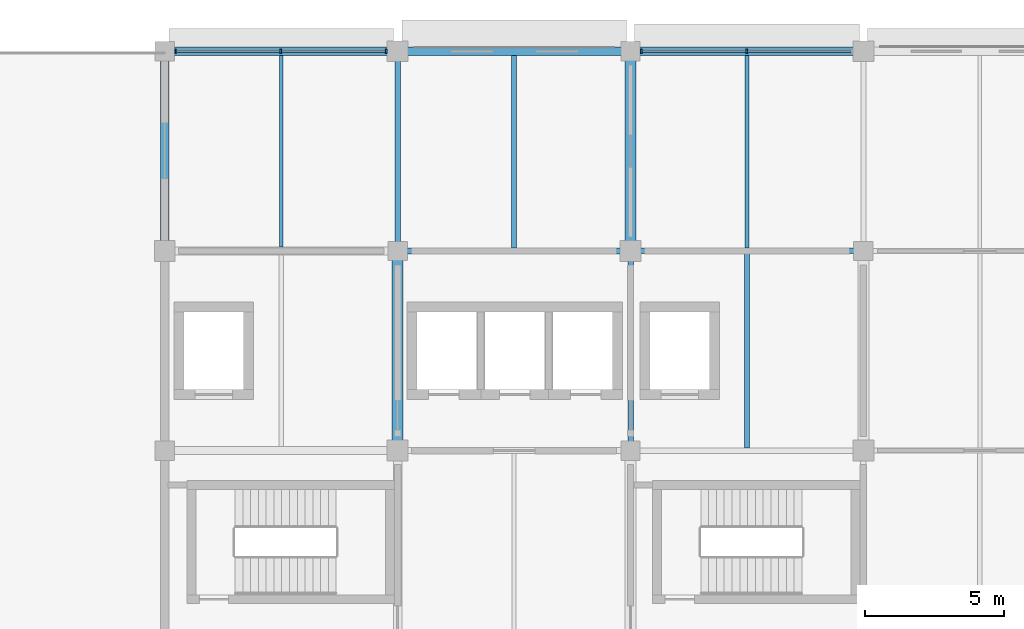
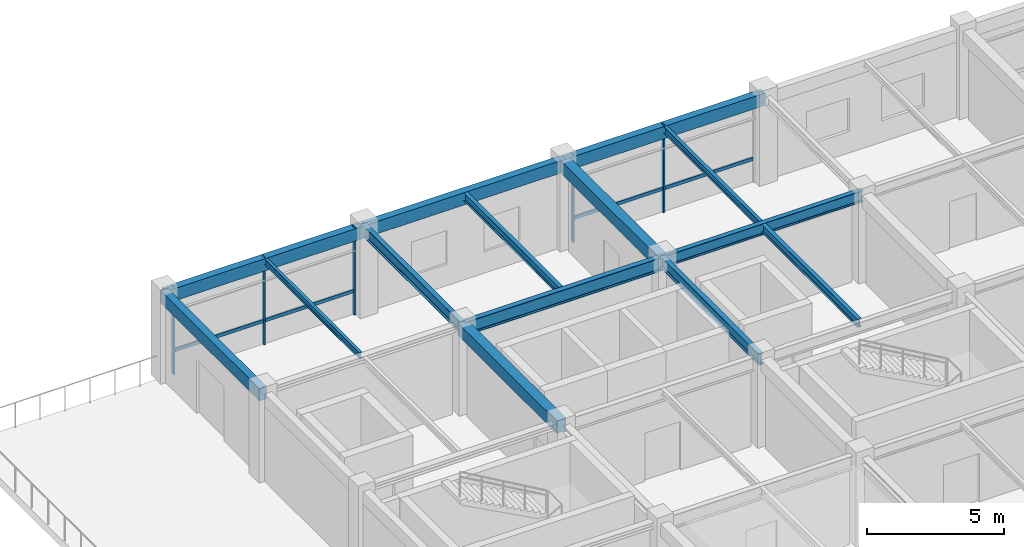
# One storey, part 3 of 10: 14 beams, 9 members, 2 elements without a shape of their own.
"""IFC4 building model written with IfcOpenShell, lengths in metres."""

import ifcopenshell
import ifcopenshell.guid

model = None  # the IFC model being written
_history = None  # IfcOwnerHistory: only IFC2X3 demands one
_inside = {}  # id of a spatial element -> (the spatial element, [elements in it])
_under = {}  # id of a project, library or spatial element -> (it, [spatial elements below it])
_declared = {}  # id of a project -> (the project, [libraries it declares])
_typed = {}  # id of a type object -> (the type object, [elements of that type])
_made_of = {}  # id of a material, layer set ... -> (it, [elements and type objects made of it])


def new_model(schema):
    """Start an empty IFC model of exactly this schema.

    Asked for "IFC4X3", IfcOpenShell would pick the latest addendum, in which some entities
    have other attributes; the version numbers below select the first issue.
    IFC2X3 requires an IfcOwnerHistory on every rooted entity: one is made here for all.
    """
    global model, _history
    if schema == "IFC4X3":
        model = ifcopenshell.file(schema_version=(4, 3, 0, 0))
    else:
        model = ifcopenshell.file(schema=schema)
    _inside.clear()
    _under.clear()
    _declared.clear()
    _typed.clear()
    _made_of.clear()
    _history = None
    if model.schema == "IFC2X3":
        org = make("IfcOrganization", Name="unknown")
        user = make(
            "IfcPersonAndOrganization",
            ThePerson=make("IfcPerson", FamilyName="unknown"),
            TheOrganization=org,
        )
        app = make(
            "IfcApplication",
            ApplicationDeveloper=org,
            Version="unknown",
            ApplicationFullName="unknown",
            ApplicationIdentifier="unknown",
        )
        _history = make(
            "IfcOwnerHistory",
            OwningUser=user,
            OwningApplication=app,
            ChangeAction="ADDED",
            CreationDate=0,
        )
    return model


def make(cls, **values):
    """One entity of the class cls with the attributes given. An attribute that is None is left unset."""
    return model.create_entity(
        cls, **{name: value for name, value in values.items() if value is not None}
    )


def rooted(cls, **values):
    """An entity with a GlobalId (a new one), such as an element, a storey or a relation."""
    return make(cls, GlobalId=ifcopenshell.guid.new(), OwnerHistory=_history, **values)


def si_unit(unit_type, name, prefix=None):
    """IfcSIUnit, for example si_unit("LENGTHUNIT", "METRE", prefix="MILLI")."""
    return make("IfcSIUnit", UnitType=unit_type, Prefix=prefix, Name=name)


def derived_unit(unit_type, elements):
    """IfcDerivedUnit: a product of units, each with its exponent."""
    return make(
        "IfcDerivedUnit",
        Elements=[
            make("IfcDerivedUnitElement", Unit=unit, Exponent=power)
            for unit, power in elements
        ],
        UnitType=unit_type,
    )


def assignment(units):
    """IfcUnitAssignment: the units of a project."""
    return None if units is None else make("IfcUnitAssignment", Units=units)


def point(xyz):
    """IfcCartesianPoint."""
    return None if xyz is None else make("IfcCartesianPoint", Coordinates=xyz)


def direction(xyz):
    """IfcDirection."""
    return None if xyz is None else make("IfcDirection", DirectionRatios=xyz)


def frame(location, z_axis=None, x_axis=None):
    """IfcAxis2Placement3D, a coordinate frame: its origin and axes. An axis left out is left unset."""
    return make(
        "IfcAxis2Placement3D",
        Location=point(location),
        Axis=direction(z_axis),
        RefDirection=direction(x_axis),
    )


def frame_2d(location, x_axis=None):
    """IfcAxis2Placement2D, a coordinate frame in the plane: its origin and x axis."""
    return make(
        "IfcAxis2Placement2D", Location=point(location), RefDirection=direction(x_axis)
    )


def origin():
    """The frame at (0, 0, 0) with its axes left unset."""
    return frame((0.0, 0.0, 0.0))


def origin_2d():
    """The frame at (0, 0) in the plane with its x axis left unset."""
    return frame_2d((0.0, 0.0))


def place(relative_to, where):
    """IfcLocalPlacement: puts the frame where relative to a parent placement (None: the world)."""
    return make(
        "IfcLocalPlacement", PlacementRelTo=relative_to, RelativePlacement=where
    )


def context(
    kind, dimensions, precision=None, world=None, true_north=None, identifier=None
):
    """IfcGeometricRepresentationContext, for example the 3D "Model" context."""
    return make(
        "IfcGeometricRepresentationContext",
        ContextIdentifier=identifier,
        ContextType=kind,
        CoordinateSpaceDimension=dimensions,
        Precision=precision,
        WorldCoordinateSystem=world,
        TrueNorth=true_north,
    )


def subcontext(parent, identifier, kind, view, scale=None):
    """IfcGeometricRepresentationSubContext, for example "Body" below "Model"."""
    return make(
        "IfcGeometricRepresentationSubContext",
        ContextIdentifier=identifier,
        ContextType=kind,
        ParentContext=parent,
        TargetScale=scale,
        TargetView=view,
    )


def project(units=None, contexts=None):
    """IfcProject with its units and contexts."""
    return rooted(
        "IfcProject",
        Name="project",
        RepresentationContexts=contexts,
        UnitsInContext=assignment(units),
    )


def spatial(cls, under=None, at=None, **own):
    """A site, building, storey or space (cls), placed at a placement, below another one or the project."""
    s = rooted(cls, ObjectPlacement=at, **own)
    if under is not None:
        _under.setdefault(under.id(), (under, []))[1].append(s)
    return s


def profile(cls, at=None, kind="AREA", **sizes):
    """A parametric profile (cls). Its sizes go by their IFC names, for example OverallWidth=200.0."""
    return make(cls, ProfileType=kind, Position=at, **sizes)


def rectangle(**sizes):
    """IfcRectangleProfileDef."""
    return profile("IfcRectangleProfileDef", **sizes)


def i_section(**sizes):
    """IfcIShapeProfileDef."""
    return profile("IfcIShapeProfileDef", **sizes)


def extrude(swept, where, along, depth):
    """IfcExtrudedAreaSolid: the profile swept, set in the frame where, extruded along a direction by depth."""
    return make(
        "IfcExtrudedAreaSolid",
        SweptArea=swept,
        Position=where,
        ExtrudedDirection=direction(along),
        Depth=depth,
    )


def shape(context_of_items, identifier, shape_type, items):
    """IfcShapeRepresentation: the items that make up one representation, for example the "Body"."""
    return make(
        "IfcShapeRepresentation",
        ContextOfItems=context_of_items,
        RepresentationIdentifier=identifier,
        RepresentationType=shape_type,
        Items=items,
    )


def material(Name=None, Category=None):
    """IfcMaterial."""
    return make("IfcMaterial", Name=Name, Category=Category)


def material_profile(
    of_material, cross_section, Name=None, Category=None, Priority=None
):
    """IfcMaterialProfile: a cross section and its material."""
    return make(
        "IfcMaterialProfile",
        Name=Name,
        Material=of_material,
        Profile=cross_section,
        Priority=Priority,
        Category=Category,
    )


def profile_set(profiles, Name=None, composite=None):
    """IfcMaterialProfileSet."""
    return make(
        "IfcMaterialProfileSet",
        Name=Name,
        MaterialProfiles=profiles,
        CompositeProfile=composite,
    )


def made_of(thing, what):
    """Note that an element or type object is made of a material, layer set ...; save() writes the relation."""
    if what is not None:
        _made_of.setdefault(what.id(), (what, []))[1].append(thing)
    return thing


def type_object(cls, material=None, **own):
    """A type object (cls), such as IfcWallType, which elements share."""
    return made_of(rooted(cls, **own), material)


def element(
    cls,
    number,
    at=None,
    inside=None,
    cuts=None,
    type_object=None,
    material=None,
    context=None,
    identifier="Body",
    shape_type=None,
    held_by="IfcProductDefinitionShape",
    body=None,
    shapes=None,
    **own,
):
    """One element of the class cls, such as IfcWall. Its Tag is "e" and its number.

    at: its placement. inside: the storey or other place that contains it. cuts: it is an
    opening in that element (IfcRelVoidsElement). A single representation is given by context,
    identifier, shape_type and body (its items); several are given by shapes. held_by: the class
    of the entity that holds the representations. save() writes the other relations.
    """
    e = rooted(cls, Tag="e%d" % number, ObjectPlacement=at, **own)
    if body is not None:
        shapes = [shape(context, identifier, shape_type, body)]
    if shapes is not None:
        e.Representation = make(held_by, Representations=shapes)
    if inside is not None:
        _inside.setdefault(inside.id(), (inside, []))[1].append(e)
    if cuts is not None:
        rooted(
            "IfcRelVoidsElement", RelatingBuildingElement=cuts, RelatedOpeningElement=e
        )
    if type_object is not None:
        _typed.setdefault(type_object.id(), (type_object, []))[1].append(e)
    return made_of(e, material)


def aggregate(whole, parts):
    """IfcRelAggregates: a whole, such as a stair, and the parts it consists of."""
    return rooted("IfcRelAggregates", RelatingObject=whole, RelatedObjects=parts)


def save(model, path):
    """Write the relations noted so far, then the file.

    IfcRelAggregates (storeys below a building ...), IfcRelContainedInSpatialStructure (elements
    in a storey), IfcRelDefinesByType, IfcRelAssociatesMaterial and IfcRelDeclares: one each for
    every whole, place, type object, material and project.
    """
    for whole, parts in _under.values():
        aggregate(whole, parts)
    for where, things in _inside.values():
        rooted(
            "IfcRelContainedInSpatialStructure",
            RelatedElements=things,
            RelatingStructure=where,
        )
    for kind, things in _typed.values():
        rooted("IfcRelDefinesByType", RelatedObjects=things, RelatingType=kind)
    for what, things in _made_of.values():
        rooted("IfcRelAssociatesMaterial", RelatedObjects=things, RelatingMaterial=what)
    for by, libraries in _declared.values():
        rooted("IfcRelDeclares", RelatingContext=by, RelatedDefinitions=libraries)
    model.write(path)


model = new_model("IFC4")

# Units and contexts
model_context = context("Model", 3, precision=1e-05, world=origin(), true_north=direction((0.0, 1.0)))
body_context = subcontext(model_context, "Body", "Model", "MODEL_VIEW")
ifc_project = project(units=[si_unit("LENGTHUNIT", "METRE"), si_unit("AREAUNIT", "SQUARE_METRE"), si_unit("VOLUMEUNIT", "CUBIC_METRE"), si_unit("PLANEANGLEUNIT", "RADIAN"), si_unit("MASSUNIT", "GRAM", prefix="KILO"), derived_unit("THERMALTRANSMITTANCEUNIT", [(si_unit("MASSUNIT", "GRAM", prefix="KILO"), 1), (si_unit("TIMEUNIT", "SECOND"), -3), (si_unit("THERMODYNAMICTEMPERATUREUNIT", "KELVIN"), -1)])], contexts=[model_context])

# Site, building, storey
site_placement = place(None, origin())
site = spatial("IfcSite", under=ifc_project, at=site_placement, CompositionType="ELEMENT")
building_placement = place(site_placement, origin())
building = spatial("IfcBuilding", under=site, at=building_placement, Name="Veldstrom Oceanarium and Marine Research Institute", CompositionType="ELEMENT")
storey_placement = place(building_placement, frame((0.0, 0.0, 43.800048828125)))
storey = spatial("IfcBuildingStorey", under=building, at=storey_placement, Name="L09", CompositionType="ELEMENT", Elevation=43.800048828125)

# Curtain wall, members
ifc_material_1 = material(Name="Anodised Aluminium Framing", Category="aluminium")
curtain_wall_type = type_object("IfcCurtainWallType", Name="ARC-CW-CW04", PredefinedType="USERDEFINED", material=ifc_material_1)
curtain_wall_1_placement = place(storey_placement, origin())
curtain_wall_1 = element("IfcCurtainWall", 1, at=curtain_wall_1_placement, inside=storey, type_object=curtain_wall_type, Name="Curtain Wall CW04 CW-L09-134", ObjectType="Curtain wall", PredefinedType="USERDEFINED")
ifc_material_2 = material(Name="Anodised Aluminium Framing", Category="aluminium")
ifc_material_profile_1 = material_profile(ifc_material_2, rectangle(XDim=0.06494140625, YDim=0.14990234375, at=origin_2d()), Name="ALU-MUL-65x150")
ifc_profile_set_1 = profile_set([ifc_material_profile_1], Name="Anodised Aluminium Framing")
member_type_1 = type_object("IfcMemberType", Name="ARC-MUL-ML2", PredefinedType="MULLION", material=ifc_profile_set_1)
member_1_placement = place(storey_placement, frame((75.989990234375, 72.0, 0.0), z_axis=(0.0, 0.0, 1.0), x_axis=(1.0, 0.0, 0.0)))
member_1 = element("IfcMember", 2, at=member_1_placement, type_object=member_type_1, Name="Curtain Wall Mullion CW-L09-134-MUL-1", PredefinedType="MULLION", context=body_context, shape_type="SweptSolid", body=[
    extrude(rectangle(XDim=0.06494140625, YDim=0.14990234375, at=origin_2d()), origin(), (0.0, 0.0, 1.0), 3.89990234375),
])
member_2_placement = place(storey_placement, frame((79.78759765625, 72.0, 0.0), z_axis=(0.0, 0.0, 1.0), x_axis=(1.0, 0.0, 0.0)))
member_2 = element("IfcMember", 3, at=member_2_placement, type_object=member_type_1, Name="Curtain Wall Mullion CW-L09-134-MUL-2", PredefinedType="MULLION", context=body_context, shape_type="SweptSolid", body=[
    extrude(rectangle(XDim=0.06494140625, YDim=0.14990234375, at=origin_2d()), origin(), (0.0, 0.0, 1.0), 3.89990234375),
])
member_3_placement = place(storey_placement, frame((83.5849609375, 72.0, 0.0), z_axis=(0.0, 0.0, 1.0), x_axis=(1.0, 0.0, 0.0)))
member_3 = element("IfcMember", 4, at=member_3_placement, type_object=member_type_1, Name="Curtain Wall Mullion CW-L09-134-MUL-3", PredefinedType="MULLION", context=body_context, shape_type="SweptSolid", body=[
    extrude(rectangle(XDim=0.06494140625, YDim=0.14990234375, at=origin_2d()), origin(), (0.0, 0.0, 1.0), 3.89990234375),
])

curtain_wall_2_placement = place(storey_placement, origin())
curtain_wall_2 = element("IfcCurtainWall", 5, at=curtain_wall_2_placement, inside=storey, type_object=curtain_wall_type, Name="Curtain Wall CW04 CW-L09-136", ObjectType="Curtain wall", PredefinedType="USERDEFINED")
member_4_placement = place(storey_placement, frame((92.7900390625, 72.0, 0.0), z_axis=(0.0, 0.0, 1.0), x_axis=(1.0, 0.0, 0.0)))
member_4 = element("IfcMember", 6, at=member_4_placement, type_object=member_type_1, Name="Curtain Wall Mullion CW-L09-136-MUL-1", PredefinedType="MULLION", context=body_context, shape_type="SweptSolid", body=[
    extrude(rectangle(XDim=0.06494140625, YDim=0.14990234375, at=origin_2d()), origin(), (0.0, 0.0, 1.0), 3.89990234375),
])
member_5_placement = place(storey_placement, frame((96.58740234375, 72.0, 0.0), z_axis=(0.0, 0.0, 1.0), x_axis=(1.0, 0.0, 0.0)))
member_5 = element("IfcMember", 7, at=member_5_placement, type_object=member_type_1, Name="Curtain Wall Mullion CW-L09-136-MUL-2", PredefinedType="MULLION", context=body_context, shape_type="SweptSolid", body=[
    extrude(rectangle(XDim=0.06494140625, YDim=0.14990234375, at=origin_2d()), origin(), (0.0, 0.0, 1.0), 3.89990234375),
])

# Member
ifc_material_3 = material(Name="Anodised Aluminium Framing", Category="aluminium")
ifc_material_profile_2 = material_profile(ifc_material_3, rectangle(XDim=0.074951171875, YDim=0.14990234375, at=origin_2d()), Name="ALU-TRN-75x150")
ifc_profile_set_2 = profile_set([ifc_material_profile_2], Name="Anodised Aluminium Framing")
member_type_2 = type_object("IfcMemberType", Name="ARC-TRN-TR1", PredefinedType="USERDEFINED", material=ifc_profile_set_2)
member_6_placement = place(storey_placement, frame((76.030029296875, 72.0, 1.050048828125), z_axis=(1.0, 0.0, 0.0), x_axis=(0.0, 1.0, 0.0)))
member_6 = element("IfcMember", 8, at=member_6_placement, type_object=member_type_2, Name="Curtain Wall Transom CW-L09-134-TRN-1", ObjectType="Transom", PredefinedType="USERDEFINED", context=body_context, shape_type="SweptSolid", body=[
    extrude(rectangle(XDim=0.074951171875, YDim=0.14990234375, at=origin_2d()), origin(), (0.0, 0.0, 1.0), 3.717529296875),
])

member_7_placement = place(storey_placement, frame((79.827392578125, 72.0, 1.050048828125), z_axis=(1.0, 0.0, 0.0), x_axis=(0.0, 1.0, 0.0)))
member_7 = element("IfcMember", 9, at=member_7_placement, type_object=member_type_2, Name="Curtain Wall Transom CW-L09-134-TRN-2", ObjectType="Transom", PredefinedType="USERDEFINED", context=body_context, shape_type="SweptSolid", body=[
    extrude(rectangle(XDim=0.074951171875, YDim=0.14990234375, at=origin_2d()), origin(), (0.0, 0.0, 1.0), 3.717529296875),
])

aggregate(curtain_wall_1, [member_1, member_2, member_3, member_6, member_7])

member_8_placement = place(storey_placement, frame((92.830078125, 72.0, 1.050048828125), z_axis=(1.0, 0.0, 0.0), x_axis=(0.0, 1.0, 0.0)))
member_8 = element("IfcMember", 10, at=member_8_placement, type_object=member_type_2, Name="Curtain Wall Transom CW-L09-136-TRN-1", ObjectType="Transom", PredefinedType="USERDEFINED", context=body_context, shape_type="SweptSolid", body=[
    extrude(rectangle(XDim=0.074951171875, YDim=0.14990234375, at=origin_2d()), origin(), (0.0, 0.0, 1.0), 3.717529296875),
])

member_9_placement = place(storey_placement, frame((96.62744140625, 72.0, 1.050048828125), z_axis=(1.0, 0.0, 0.0), x_axis=(0.0, 1.0, 0.0)))
member_9 = element("IfcMember", 11, at=member_9_placement, type_object=member_type_2, Name="Curtain Wall Transom CW-L09-136-TRN-2", ObjectType="Transom", PredefinedType="USERDEFINED", context=body_context, shape_type="SweptSolid", body=[
    extrude(rectangle(XDim=0.074951171875, YDim=0.14990234375, at=origin_2d()), origin(), (0.0, 0.0, 1.0), 3.717529296875),
])

aggregate(curtain_wall_2, [member_4, member_5, member_8, member_9])

# Beams
ifc_material_4 = material(Name="Concrete C40/50", Category="concrete")
ifc_material_profile_3 = material_profile(ifc_material_4, rectangle(XDim=0.39990234375, YDim=0.550048828125, at=origin_2d()), Name="RC-BM-400x550")
ifc_profile_set_3 = profile_set([ifc_material_profile_3], Name="Concrete C40/50")
beam_type_1 = type_object("IfcBeamType", Name="STR-BM-B07", PredefinedType="BEAM", material=ifc_profile_set_3)
for number, where, z_axis, x_axis, name in (
    (12, (84.0, 57.60009765625, 3.619873046875), (0.0, 1.0, 0.0), (-1.0, 0.0, 0.0), "Primary Beam B07 L09-2504"),
    (13, (92.39990234375, 64.800048828125, 3.619873046875), (0.0, 1.0, 0.0), (-1.0, 0.0, 0.0), "Primary Beam B07 L09-2509"),
):
    element("IfcBeam", number, at=place(storey_placement, frame(where, z_axis=z_axis, x_axis=x_axis)), inside=storey, type_object=beam_type_1, Name=name, PredefinedType="BEAM", context=body_context, shape_type="SweptSolid", body=[
        extrude(rectangle(XDim=0.39990234375, YDim=0.550048828125, at=origin_2d()), origin(), (0.0, 0.0, 1.0), 7.199951171875),
    ])
ifc_material_5 = material(Name="Steel S355JR", Category="steel")
ifc_material_profile_4 = material_profile(ifc_material_5, i_section(OverallWidth=0.219970703125, OverallDepth=0.60009765625, WebThickness=0.011962890625, FlangeThickness=0.01904296875, FilletRadius=0.02392578125, at=origin_2d()), Name="IPE 600")
ifc_profile_set_4 = profile_set([ifc_material_profile_4], Name="Steel S355JR")
beam_type_2 = type_object("IfcBeamType", Name="STR-BM-SB5", PredefinedType="BEAM", material=ifc_profile_set_4)
beam_1_placement = place(storey_placement, frame((84.0, 64.800048828125, 3.594970703125), z_axis=(1.0, 0.0, 0.0), x_axis=(0.0, 1.0, 0.0)))
element("IfcBeam", 14, at=beam_1_placement, inside=storey, type_object=beam_type_2, Name="Steel Floor Girder SB5 L09-2481", PredefinedType="BEAM", context=body_context, shape_type="SweptSolid", body=[
    extrude(i_section(OverallWidth=0.219970703125, OverallDepth=0.60009765625, WebThickness=0.011962890625, FlangeThickness=0.01904296875, FilletRadius=0.02392578125, at=origin_2d()), origin(), (0.0, 0.0, 1.0), 8.39990234375),
])
ifc_material_6 = material(Name="Steel S355JR", Category="steel")
ifc_material_profile_5 = material_profile(ifc_material_6, i_section(OverallWidth=0.199951171875, OverallDepth=0.5, WebThickness=0.01025390625, FlangeThickness=0.01611328125, FilletRadius=0.02099609375, at=origin_2d()), Name="IPE 500")
ifc_profile_set_5 = profile_set([ifc_material_profile_5], Name="Steel S355JR")
beam_type_3 = type_object("IfcBeamType", Name="STR-BM-SB6", PredefinedType="BEAM", material=ifc_profile_set_5)
beam_2_placement = place(storey_placement, frame((92.39990234375, 64.800048828125, 3.64501953125), z_axis=(1.0, 0.0, 0.0), x_axis=(0.0, 1.0, 0.0)))
element("IfcBeam", 15, at=beam_2_placement, inside=storey, type_object=beam_type_3, Name="Steel Floor Girder SB6 L09-2486", PredefinedType="BEAM", context=body_context, shape_type="SweptSolid", body=[
    extrude(i_section(OverallWidth=0.199951171875, OverallDepth=0.5, WebThickness=0.01025390625, FlangeThickness=0.01611328125, FilletRadius=0.02099609375, at=origin_2d()), origin(), (0.0, 0.0, 1.0), 8.400146484375),
])
for number, where, z_axis, x_axis, name in (
    (16, (84.0, 64.800048828125, 3.64501953125), (0.0, 1.0, 0.0), (-1.0, 0.0, 0.0), "Steel Tie Beam SB6 L09-2505"),
    (17, (92.39990234375, 57.60009765625, 3.64501953125), (0.0, 1.0, 0.0), (-1.0, 0.0, 0.0), "Steel Tie Beam SB6 L09-2508"),
):
    element("IfcBeam", number, at=place(storey_placement, frame(where, z_axis=z_axis, x_axis=x_axis)), inside=storey, type_object=beam_type_3, Name=name, PredefinedType="BEAM", context=body_context, shape_type="SweptSolid", body=[
        extrude(i_section(OverallWidth=0.199951171875, OverallDepth=0.5, WebThickness=0.01025390625, FlangeThickness=0.01611328125, FilletRadius=0.02099609375, at=origin_2d()), origin(), (0.0, 0.0, 1.0), 7.199951171875),
    ])
ifc_material_7 = material(Name="Steel S355JR", Category="steel")
ifc_material_profile_6 = material_profile(ifc_material_7, i_section(OverallWidth=0.169921875, OverallDepth=0.360107421875, WebThickness=0.008056640625, FlangeThickness=0.0126953125, FilletRadius=0.01806640625, at=origin_2d()), Name="IPE 360")
ifc_profile_set_6 = profile_set([ifc_material_profile_6], Name="Steel S355JR")
beam_type_4 = type_object("IfcBeamType", Name="STR-JST-SJ1", PredefinedType="JOIST", material=ifc_profile_set_6)
beam_3_placement = place(storey_placement, frame((88.199951171875, 64.909912109375, 3.71484375), z_axis=(0.0, 1.0, 0.0), x_axis=(-1.0, 0.0, 0.0)))
element("IfcBeam", 18, at=beam_3_placement, inside=storey, type_object=beam_type_4, Name="Secondary Joist SJ1 L09-2527", PredefinedType="JOIST", context=body_context, shape_type="SweptSolid", body=[
    extrude(i_section(OverallWidth=0.169921875, OverallDepth=0.360107421875, WebThickness=0.008056640625, FlangeThickness=0.0126953125, FilletRadius=0.01806640625, at=origin_2d()), origin(), (0.0, 0.0, 1.0), 6.940185546875),
])
beam_4_placement = place(storey_placement, frame((96.60009765625, 57.699951171875, 3.71484375), z_axis=(0.0, 1.0, 0.0), x_axis=(-1.0, 0.0, 0.0)))
element("IfcBeam", 19, at=beam_4_placement, inside=storey, type_object=beam_type_4, Name="Secondary Joist SJ1 L09-2529", PredefinedType="JOIST", context=body_context, shape_type="SweptSolid", body=[
    extrude(i_section(OverallWidth=0.169921875, OverallDepth=0.360107421875, WebThickness=0.008056640625, FlangeThickness=0.0126953125, FilletRadius=0.01806640625, at=origin_2d()), origin(), (0.0, 0.0, 1.0), 7.0),
])
ifc_material_8 = material(Name="Steel S355JR", Category="steel")
ifc_material_profile_7 = material_profile(ifc_material_8, i_section(OverallWidth=0.14990234375, OverallDepth=0.300048828125, WebThickness=0.007080078125, FlangeThickness=0.0107421875, FilletRadius=0.014892578125, at=origin_2d()), Name="IPE 300")
ifc_profile_set_7 = profile_set([ifc_material_profile_7], Name="Steel S355JR")
beam_type_5 = type_object("IfcBeamType", Name="STR-JST-SJ2", PredefinedType="JOIST", material=ifc_profile_set_7)
beam_5_placement = place(storey_placement, frame((96.60009765625, 64.89990234375, 3.744873046875), z_axis=(0.0, 1.0, 0.0), x_axis=(-1.0, 0.0, 0.0)))
element("IfcBeam", 20, at=beam_5_placement, inside=storey, type_object=beam_type_5, Name="Secondary Joist SJ2 L09-2530", PredefinedType="JOIST", context=body_context, shape_type="SweptSolid", body=[
    extrude(i_section(OverallWidth=0.14990234375, OverallDepth=0.300048828125, WebThickness=0.007080078125, FlangeThickness=0.0107421875, FilletRadius=0.014892578125, at=origin_2d()), origin(), (0.0, 0.0, 1.0), 6.9501953125),
])
ifc_material_9 = material(Name="Steel S355JR", Category="steel")
ifc_material_profile_8 = material_profile(ifc_material_9, i_section(OverallWidth=0.135009765625, OverallDepth=0.27001953125, WebThickness=0.006591796875, FlangeThickness=0.01025390625, FilletRadius=0.014892578125, at=origin_2d()), Name="IPE 270")
ifc_profile_set_8 = profile_set([ifc_material_profile_8], Name="Steel S355JR")
beam_type_6 = type_object("IfcBeamType", Name="STR-JST-SJ3", PredefinedType="JOIST", material=ifc_profile_set_8)
beam_6_placement = place(storey_placement, frame((79.800048828125, 64.93994140625, 3.760009765625), z_axis=(0.0, 1.0, 0.0), x_axis=(-1.0, 0.0, 0.0)))
element("IfcBeam", 21, at=beam_6_placement, inside=storey, type_object=beam_type_6, Name="Secondary Joist SJ3 L09-2524", PredefinedType="JOIST", context=body_context, shape_type="SweptSolid", body=[
    extrude(i_section(OverallWidth=0.135009765625, OverallDepth=0.27001953125, WebThickness=0.006591796875, FlangeThickness=0.01025390625, FilletRadius=0.014892578125, at=origin_2d()), origin(), (0.0, 0.0, 1.0), 6.91015625),
])
ifc_material_10 = material(Name="Concrete C40/50", Category="concrete")
ifc_material_profile_9 = material_profile(ifc_material_10, rectangle(XDim=0.300048828125, YDim=0.550048828125, at=origin_2d()), Name="RC-SPN-300x550")
ifc_profile_set_9 = profile_set([ifc_material_profile_9], Name="Concrete C40/50")
beam_type_7 = type_object("IfcBeamType", Name="STR-SPN-SP2", PredefinedType="SPANDREL", material=ifc_profile_set_9)
for number, where, z_axis, x_axis, name in (
    (22, (75.60009765625, 72.0, 3.619873046875), (1.0, 0.0, 0.0), (0.0, 1.0, 0.0), "Perimeter Spandrel SPB2 L09-2477"),
    (23, (84.0, 72.0, 3.619873046875), (1.0, 0.0, 0.0), (0.0, 1.0, 0.0), "Perimeter Spandrel SPB2 L09-2482"),
):
    element("IfcBeam", number, at=place(storey_placement, frame(where, z_axis=z_axis, x_axis=x_axis)), inside=storey, type_object=beam_type_7, Name=name, PredefinedType="SPANDREL", context=body_context, shape_type="SweptSolid", body=[
        extrude(rectangle(XDim=0.300048828125, YDim=0.550048828125, at=origin_2d()), origin(), (0.0, 0.0, 1.0), 8.39990234375),
    ])
beam_7_placement = place(storey_placement, frame((92.39990234375, 72.0, 3.619873046875), z_axis=(1.0, 0.0, 0.0), x_axis=(0.0, 1.0, 0.0)))
element("IfcBeam", 24, at=beam_7_placement, inside=storey, type_object=beam_type_7, Name="Perimeter Spandrel SPB2 L09-2487", PredefinedType="SPANDREL", context=body_context, shape_type="SweptSolid", body=[
    extrude(rectangle(XDim=0.300048828125, YDim=0.550048828125, at=origin_2d()), origin(), (0.0, 0.0, 1.0), 8.400146484375),
])
beam_8_placement = place(storey_placement, frame((75.60009765625, 64.800048828125, 3.619873046875), z_axis=(0.0, 1.0, 0.0), x_axis=(-1.0, 0.0, 0.0)))
element("IfcBeam", 25, at=beam_8_placement, inside=storey, type_object=beam_type_7, Name="Perimeter Spandrel SPB2 L09-2501", PredefinedType="SPANDREL", context=body_context, shape_type="SweptSolid", body=[
    extrude(rectangle(XDim=0.300048828125, YDim=0.550048828125, at=origin_2d()), origin(), (0.0, 0.0, 1.0), 7.199951171875),
])

save(model, "model.ifc")
